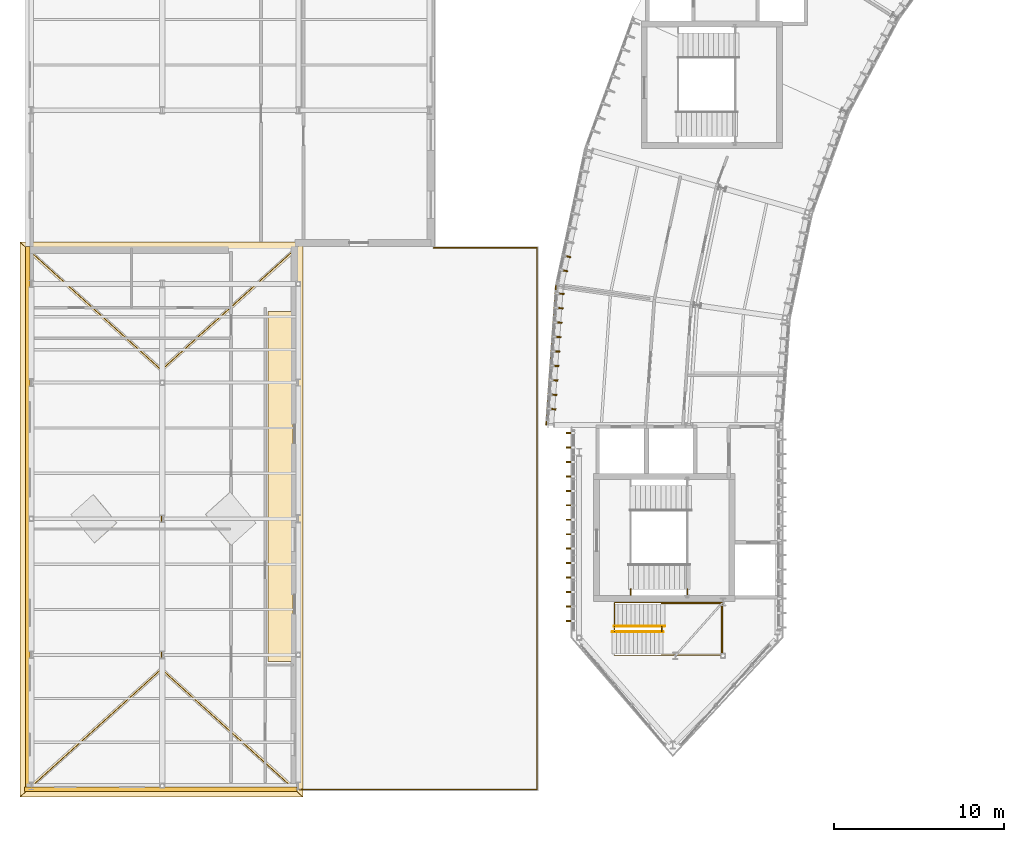
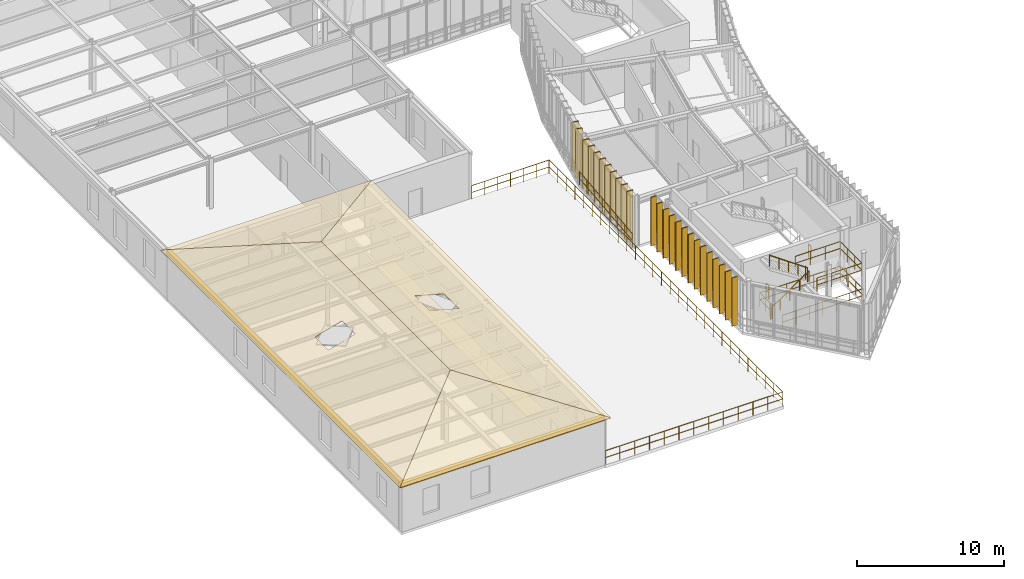
# One storey, part 46 of 52: 32 coverings, 12 railings, 2 openings.
"""IFC4 building model written with IfcOpenShell, lengths in metres."""

from ifc_helpers import new_model, si_unit, direction, frame, origin, origin_2d, place, context, subcontext, project, spatial, polyline, rectangle, circle, outline, extrude, material, layer, layer_set, type_object, element, save


model = new_model("IFC4")

# Units and contexts
model_context = context("Model", 3, precision=1e-05, world=origin(), true_north=direction((0.0, 1.0)))
body_context = subcontext(model_context, "Body", "Model", "MODEL_VIEW")
ifc_project = project(units=[si_unit("LENGTHUNIT", "METRE"), si_unit("AREAUNIT", "SQUARE_METRE"), si_unit("VOLUMEUNIT", "CUBIC_METRE"), si_unit("PLANEANGLEUNIT", "RADIAN"), si_unit("MASSUNIT", "GRAM", prefix="KILO"), si_unit("THERMODYNAMICTEMPERATUREUNIT", "KELVIN"), si_unit("POWERUNIT", "WATT")], contexts=[model_context])

# Site, building, storey
site_placement = place(None, origin())
site = spatial("IfcSite", under=ifc_project, at=site_placement, CompositionType="ELEMENT")
building_placement = place(site_placement, origin())
building = spatial("IfcBuilding", under=site, at=building_placement, Name="Solvatero Civic Police Headquarters", CompositionType="ELEMENT")
storey_placement = place(building_placement, frame((0.0, 0.0, 13.5)))
storey = spatial("IfcBuildingStorey", under=building, at=storey_placement, Name="L03", CompositionType="ELEMENT", Elevation=13.5)

# Coverings
ifc_material_1 = material(Name="Anodized Bronze Aluminium", Category="aluminium")
ifc_layer_1 = layer(ifc_material_1, 0.080078125)
ifc_layer_set_1 = layer_set([ifc_layer_1], Name="Anodized Bronze Aluminium")
covering_type_1 = type_object("IfcCoveringType", Name="COV-FIN-480", PredefinedType="CLADDING", material=ifc_layer_set_1)
for number, where, z_axis, x_axis, name in (
    (1, (36.2744140625, 35.919921875, -0.02001953125), (0.0, 0.0, 1.0), (-0.207928762682, -0.978143971841, 0.0), "Vertical Brise-Soleil Fin 0725"),
    (2, (36.09765625, 35.08837890625, -0.02001953125), (0.0, 0.0, 1.0), (-0.207928762682, -0.978143971841, 0.0), "Vertical Brise-Soleil Fin 0726"),
    (3, (35.87060546875, 33.724853515625, -0.02001953125), (0.0, 0.0, 1.0), (-0.069739062956, -0.997565267588, 0.0), "Vertical Brise-Soleil Fin 0734"),
    (4, (35.811279296875, 32.876953125, -0.02001953125), (0.0, 0.0, 1.0), (-0.069739062956, -0.997565267588, 0.0), "Vertical Brise-Soleil Fin 0735"),
    (5, (35.752197265625, 32.029052734375, -0.02001953125), (0.0, 0.0, 1.0), (-0.069739062956, -0.997565267588, 0.0), "Vertical Brise-Soleil Fin 0736"),
    (6, (35.69287109375, 31.18115234375, -0.02001953125), (0.0, 0.0, 1.0), (-0.069739062956, -0.997565267588, 0.0), "Vertical Brise-Soleil Fin 0737"),
    (7, (35.633544921875, 30.333251953125, -0.02001953125), (0.0, 0.0, 1.0), (-0.069739062956, -0.997565267588, 0.0), "Vertical Brise-Soleil Fin 0738"),
    (8, (35.57421875, 29.4853515625, -0.02001953125), (0.0, 0.0, 1.0), (-0.069739062956, -0.997565267588, 0.0), "Vertical Brise-Soleil Fin 0739"),
    (9, (35.514892578125, 28.637451171875, -0.02001953125), (0.0, 0.0, 1.0), (-0.069739062956, -0.997565267588, 0.0), "Vertical Brise-Soleil Fin 0740"),
    (10, (35.45556640625, 27.789306640625, -0.02001953125), (0.0, 0.0, 1.0), (-0.069739062956, -0.997565267588, 0.0), "Vertical Brise-Soleil Fin 0741"),
    (11, (35.396240234375, 26.94140625, -0.02001953125), (0.0, 0.0, 1.0), (-0.069739062956, -0.997565267588, 0.0), "Vertical Brise-Soleil Fin 0742"),
    (12, (36.469970703125, 25.5400390625, -0.02001953125), (0.0, 0.0, 1.0), (0.0, -1.0, 0.0), "Vertical Brise-Soleil Fin 0750"),
    (13, (36.469970703125, 24.68994140625, -0.02001953125), (0.0, 0.0, 1.0), (0.0, -1.0, 0.0), "Vertical Brise-Soleil Fin 0751"),
    (14, (36.469970703125, 23.840087890625, -0.02001953125), (0.0, 0.0, 1.0), (0.0, -1.0, 0.0), "Vertical Brise-Soleil Fin 0752"),
    (15, (36.469970703125, 22.989990234375, -0.02001953125), (0.0, 0.0, 1.0), (0.0, -1.0, 0.0), "Vertical Brise-Soleil Fin 0753"),
    (16, (36.469970703125, 22.139892578125, -0.02001953125), (0.0, 0.0, 1.0), (0.0, -1.0, 0.0), "Vertical Brise-Soleil Fin 0754"),
    (17, (36.469970703125, 21.2900390625, -0.02001953125), (0.0, 0.0, 1.0), (0.0, -1.0, 0.0), "Vertical Brise-Soleil Fin 0755"),
    (18, (36.469970703125, 20.43994140625, -0.02001953125), (0.0, 0.0, 1.0), (0.0, -1.0, 0.0), "Vertical Brise-Soleil Fin 0756"),
    (19, (36.469970703125, 19.590087890625, -0.02001953125), (0.0, 0.0, 1.0), (0.0, -1.0, 0.0), "Vertical Brise-Soleil Fin 0757"),
    (20, (36.469970703125, 18.739990234375, -0.02001953125), (0.0, 0.0, 1.0), (0.0, -1.0, 0.0), "Vertical Brise-Soleil Fin 0758"),
    (21, (36.469970703125, 17.889892578125, -0.02001953125), (0.0, 0.0, 1.0), (0.0, -1.0, 0.0), "Vertical Brise-Soleil Fin 0759"),
    (22, (36.469970703125, 17.0400390625, -0.02001953125), (0.0, 0.0, 1.0), (0.0, -1.0, 0.0), "Vertical Brise-Soleil Fin 0760"),
    (23, (36.469970703125, 16.18994140625, -0.02001953125), (0.0, 0.0, 1.0), (0.0, -1.0, 0.0), "Vertical Brise-Soleil Fin 0761"),
    (24, (36.469970703125, 15.340087890625, -0.02001953125), (0.0, 0.0, 1.0), (0.0, -1.0, 0.0), "Vertical Brise-Soleil Fin 0762"),
    (25, (36.469970703125, 14.489990234375, -0.02001953125), (0.0, 0.0, 1.0), (0.0, -1.0, 0.0), "Vertical Brise-Soleil Fin 0763"),
):
    element("IfcCovering", number, at=place(storey_placement, frame(where, z_axis=z_axis, x_axis=x_axis)), inside=storey, type_object=covering_type_1, Name=name, PredefinedType="CLADDING", context=body_context, shape_type="SweptSolid", body=[
        extrude(rectangle(XDim=0.080078125, YDim=0.47998046875, at=origin_2d()), origin(), (0.0, 0.0, 1.0), 4.0400390625),
    ])
ifc_material_2 = material(Name="Venetian Terrazzo Stone", Category="masonry")
ifc_layer_2 = layer(ifc_material_2, 0.034912109375)
ifc_layer_set_2 = layer_set([ifc_layer_2], Name="Venetian Terrazzo Stone")
covering_type_2 = type_object("IfcCoveringType", Name="COV-FLR-TER", PredefinedType="FLOORING", material=ifc_layer_set_2)
covering_1_placement = place(storey_placement, origin())
element("IfcCovering", 26, at=covering_1_placement, inside=storey, type_object=covering_type_2, Name="Flooring Officers Terrace Reading Lounge", PredefinedType="FLOORING", context=body_context, shape_type="SweptSolid", body=[
    extrude(outline(polyline([(18.719970703125, 12.1201171875), (18.719970703125, 32.679931640625), (20.179931640625, 32.679931640625), (20.179931640625, 12.1201171875), (18.719970703125, 12.1201171875)])), origin(), (0.0, 0.0, 1.0), 0.034912109375),
])

# Covering, opening
ifc_material_3 = material(Name="Lombard Terracotta Clay Tile", Category="masonry")
ifc_layer_3 = layer(ifc_material_3, 0.06005859375)
ifc_layer_set_3 = layer_set([ifc_layer_3], Name="Lombard Terracotta Clay Tile")
covering_type_3 = type_object("IfcCoveringType", Name="COV-RF-TILE", PredefinedType="ROOFING", material=ifc_layer_set_3)
covering_2_placement = place(storey_placement, frame((4.139892578125, 36.760009765625, 4.070068359375), z_axis=(-0.271028921331, 0.0, 0.962571204536), x_axis=(0.0, -1.0, 0.0)))
covering_2 = element("IfcCovering", 27, at=covering_2_placement, inside=storey, type_object=covering_type_3, Name="V4W Lombard Terracotta Hipped Roof Covering W", PredefinedType="ROOFING", context=body_context, shape_type="SweptSolid", body=[
    extrude(outline(polyline([(0.0, 0.0), (32.6201171875, 0.0), (25.10498046875, 8.633188437997418), (7.514892578125, 8.633188437997418), (0.0, 0.0)])), origin(), (0.0, 0.0, -1.0), 0.06005859375),
])
opening_1_placement = place(covering_2_placement, frame((16.260009765625, 4.529541015625, 0.0)))
element("IfcOpeningElement", 28, at=opening_1_placement, cuts=covering_2, Name="Opening SK-05 Cover", PredefinedType="OPENING", context=body_context, shape_type="SweptSolid", body=[
    extrude(rectangle(XDim=1.800048828125, YDim=2.199951171875, at=origin_2d()), frame((0.0, 0.0, -0.18017578125)), (0.0, 0.0, 1.0), 0.300048828125),
])

covering_3_placement = place(storey_placement, frame((20.760009765625, 4.139892578125, 4.070068359375), z_axis=(0.271028921331, 0.0, 0.962571204536), x_axis=(0.0, 1.0, 0.0)))
covering_3 = element("IfcCovering", 29, at=covering_3_placement, inside=storey, type_object=covering_type_3, Name="V4W Lombard Terracotta Hipped Roof Covering E", PredefinedType="ROOFING", context=body_context, shape_type="SweptSolid", body=[
    extrude(outline(polyline([(0.0, 0.0), (32.6201171875, 0.0), (25.105224609375, 8.633188437997418), (7.51513671875, 8.633188437997418), (0.0, 0.0)])), origin(), (0.0, 0.0, -1.0), 0.06005859375),
])
opening_2_placement = place(covering_3_placement, frame((16.360107421875, 4.425537109375, 0.0)))
element("IfcOpeningElement", 30, at=opening_2_placement, cuts=covering_3, Name="Opening SK-06 Cover", PredefinedType="OPENING", context=body_context, shape_type="SweptSolid", body=[
    extrude(rectangle(XDim=2.0, YDim=2.39990234375, at=origin_2d()), frame((0.0, 0.0, -0.18017578125)), (0.0, 0.0, 1.0), 0.300048828125),
])

# Coverings
covering_4_placement = place(storey_placement, frame((4.139892578125, 4.139892578125, 4.070068359375), z_axis=(0.0, -0.297275193389, 0.954791840872), x_axis=(1.0, 0.0, 0.0)))
element("IfcCovering", 31, at=covering_4_placement, inside=storey, type_object=covering_type_3, Name="V4W Lombard Terracotta Hipped Roof Covering S", PredefinedType="ROOFING", context=body_context, shape_type="SweptSolid", body=[
    extrude(outline(polyline([(0.0, 0.0), (16.6201171875, 0.0), (8.31005859375, 7.870968725380542), (0.0, 0.0)])), origin(), (0.0, 0.0, -1.0), 0.06005859375),
])
covering_5_placement = place(storey_placement, frame((20.760009765625, 36.760009765625, 4.070068359375), z_axis=(0.0, 0.297283997621, 0.954789099623), x_axis=(-1.0, 0.0, 0.0)))
element("IfcCovering", 32, at=covering_5_placement, inside=storey, type_object=covering_type_3, Name="V4W Lombard Terracotta Hipped Roof Covering N", PredefinedType="ROOFING", context=body_context, shape_type="SweptSolid", body=[
    extrude(outline(polyline([(0.0, 0.0), (16.6201171875, 0.0), (8.31005859375, 7.870735622238386), (0.0, 0.0)])), origin(), (0.0, 0.0, -1.0), 0.06005859375),
])
ifc_material_4 = material(Name="Cream Limestone Ashlar", Category="masonry")
ifc_layer_4 = layer(ifc_material_4, 0.10009765625)
ifc_layer_set_4 = layer_set([ifc_layer_4], Name="Cream Limestone Ashlar")
covering_type_4 = type_object("IfcCoveringType", Name="COV-TRIM-STONE", PredefinedType="CLADDING", material=ifc_layer_set_4)
covering_6_placement = place(storey_placement, frame((12.4150390625, 4.60009765625, 3.75), z_axis=(0.0, 0.0, 1.0), x_axis=(1.0, 0.0, 0.0)))
element("IfcCovering", 33, at=covering_6_placement, inside=storey, type_object=covering_type_4, Name="Classical Limestone Trim TRIM-V4-L03-S", PredefinedType="CLADDING", context=body_context, shape_type="SweptSolid", body=[
    extrude(rectangle(XDim=16.030029296875, YDim=0.280029296875, at=origin_2d()), origin(), (0.0, 0.0, 1.0), 0.340087890625),
])
covering_7_placement = place(storey_placement, frame((4.60009765625, 20.5, 3.75), z_axis=(0.0, 0.0, 1.0), x_axis=(1.0, 0.0, 0.0)))
element("IfcCovering", 34, at=covering_7_placement, inside=storey, type_object=covering_type_4, Name="Classical Limestone Trim TRIM-V4-L03-W", PredefinedType="CLADDING", context=body_context, shape_type="SweptSolid", body=[
    extrude(rectangle(XDim=0.280029296875, YDim=32.0, at=origin_2d()), origin(), (0.0, 0.0, 1.0), 0.340087890625),
])

# Railings
ifc_material_5 = material(Name="Anodized Bronze and Laminated Glass", Category="glass")
railing_type_1 = type_object("IfcRailingType", Name="RL-BAL-115", PredefinedType="BALUSTRADE", material=ifc_material_5)
railing_1_placement = place(storey_placement, frame((39.080078125, 12.47998046875, 0.0)))
element("IfcRailing", 35, at=railing_1_placement, inside=storey, type_object=railing_type_1, Name="Prow Stair Well Balustrade L03 SE", PredefinedType="BALUSTRADE", context=body_context, shape_type="SweptSolid", body=[
    extrude(circle(Radius=0.02392578125, at=origin_2d()), frame((0.0, 0.0, 1.1259765625), z_axis=(1.0, 0.0, 0.0), x_axis=(0.0, 1.0, 0.0)), (0.0, 0.0, 1.0), 6.33984375),
    extrude(circle(Radius=0.02392578125, at=origin_2d()), frame((0.0, 0.0, 0.55078125), z_axis=(1.0, 0.0, 0.0), x_axis=(0.0, 1.0, 0.0)), (0.0, 0.0, 1.0), 6.33984375),
    extrude(circle(Radius=0.02392578125, at=origin_2d()), frame((6.33984375, 0.0, 1.1259765625), z_axis=(0.0, 1.0, 0.0), x_axis=(-1.0, 0.0, 0.0)), (0.0, 0.0, 1.0), 3.090087890625),
    extrude(circle(Radius=0.02392578125, at=origin_2d()), frame((6.33984375, 0.0, 0.55078125), z_axis=(0.0, 1.0, 0.0), x_axis=(-1.0, 0.0, 0.0)), (0.0, 0.0, 1.0), 3.090087890625),
    extrude(circle(Radius=0.02099609375, at=origin_2d()), origin(), (0.0, 0.0, 1.0), 1.101806640625),
    extrude(circle(Radius=0.02099609375, at=origin_2d()), frame((1.056640625, 0.0, 0.0)), (0.0, 0.0, 1.0), 1.101806640625),
    extrude(circle(Radius=0.02099609375, at=origin_2d()), frame((2.11328125, 0.0, 0.0)), (0.0, 0.0, 1.0), 1.101806640625),
    extrude(circle(Radius=0.02099609375, at=origin_2d()), frame((3.169921875, 0.0, 0.0)), (0.0, 0.0, 1.0), 1.101806640625),
    extrude(circle(Radius=0.02099609375, at=origin_2d()), frame((4.2265625, 0.0, 0.0)), (0.0, 0.0, 1.0), 1.101806640625),
    extrude(circle(Radius=0.02099609375, at=origin_2d()), frame((5.283203125, 0.0, 0.0)), (0.0, 0.0, 1.0), 1.101806640625),
    extrude(circle(Radius=0.02099609375, at=origin_2d()), frame((6.33984375, 0.0, 0.0)), (0.0, 0.0, 1.0), 1.101806640625),
    extrude(circle(Radius=0.02099609375, at=origin_2d()), frame((6.33984375, 1.030029296875, 0.0)), (0.0, 0.0, 1.0), 1.101806640625),
    extrude(circle(Radius=0.02099609375, at=origin_2d()), frame((6.33984375, 2.06005859375, 0.0)), (0.0, 0.0, 1.0), 1.101806640625),
    extrude(circle(Radius=0.02099609375, at=origin_2d()), frame((6.33984375, 3.090087890625, 0.0)), (0.0, 0.0, 1.0), 1.101806640625),
])
railing_2_placement = place(storey_placement, frame((45.419921875, 15.570068359375, 0.0)))
element("IfcRailing", 36, at=railing_2_placement, inside=storey, type_object=railing_type_1, Name="Prow Stair Well Balustrade L03 NW", PredefinedType="BALUSTRADE", context=body_context, shape_type="SweptSolid", body=[
    extrude(circle(Radius=0.02392578125, at=origin_2d()), frame((0.0, 0.0, 1.1259765625), z_axis=(-1.0, 0.0, 0.0), x_axis=(0.0, -1.0, 0.0)), (0.0, 0.0, 1.0), 6.33984375),
    extrude(circle(Radius=0.02392578125, at=origin_2d()), frame((0.0, 0.0, 0.55078125), z_axis=(-1.0, 0.0, 0.0), x_axis=(0.0, -1.0, 0.0)), (0.0, 0.0, 1.0), 6.33984375),
    extrude(circle(Radius=0.02392578125, at=origin_2d()), frame((-6.33984375, 0.0, 1.1259765625), z_axis=(0.0, -1.0, 0.0), x_axis=(1.0, 0.0, 0.0)), (0.0, 0.0, 1.0), 1.41015625),
    extrude(circle(Radius=0.02392578125, at=origin_2d()), frame((-6.33984375, 0.0, 0.55078125), z_axis=(0.0, -1.0, 0.0), x_axis=(1.0, 0.0, 0.0)), (0.0, 0.0, 1.0), 1.41015625),
    extrude(circle(Radius=0.02099609375, at=origin_2d()), origin(), (0.0, 0.0, 1.0), 1.101806640625),
    extrude(circle(Radius=0.02099609375, at=origin_2d()), frame((-1.056640625, 0.0, 0.0)), (0.0, 0.0, 1.0), 1.101806640625),
    extrude(circle(Radius=0.02099609375, at=origin_2d()), frame((-2.11328125, 0.0, 0.0)), (0.0, 0.0, 1.0), 1.101806640625),
    extrude(circle(Radius=0.02099609375, at=origin_2d()), frame((-3.169921875, 0.0, 0.0)), (0.0, 0.0, 1.0), 1.101806640625),
    extrude(circle(Radius=0.02099609375, at=origin_2d()), frame((-4.2265625, 0.0, 0.0)), (0.0, 0.0, 1.0), 1.101806640625),
    extrude(circle(Radius=0.02099609375, at=origin_2d()), frame((-5.283203125, 0.0, 0.0)), (0.0, 0.0, 1.0), 1.101806640625),
    extrude(circle(Radius=0.02099609375, at=origin_2d()), frame((-6.33984375, 0.0, 0.0)), (0.0, 0.0, 1.0), 1.101806640625),
    extrude(circle(Radius=0.02099609375, at=origin_2d()), frame((-6.33984375, -0.705078125, 0.0)), (0.0, 0.0, 1.0), 1.101806640625),
    extrude(circle(Radius=0.02099609375, at=origin_2d()), frame((-6.33984375, -1.41015625, 0.0)), (0.0, 0.0, 1.0), 1.101806640625),
])
railing_3_placement = place(storey_placement, frame((39.080078125, 13.8798828125, 0.0)))
element("IfcRailing", 37, at=railing_3_placement, inside=storey, type_object=railing_type_1, Name="Prow Stair Well West Slot L03", PredefinedType="BALUSTRADE", context=body_context, shape_type="SweptSolid", body=[
    extrude(circle(Radius=0.02392578125, at=origin_2d()), frame((0.0, 0.0, 1.1259765625), z_axis=(0.0, 1.0, 0.0), x_axis=(-1.0, 0.0, 0.0)), (0.0, 0.0, 1.0), 0.280029296875),
    extrude(circle(Radius=0.02392578125, at=origin_2d()), frame((0.0, 0.0, 0.55078125), z_axis=(0.0, 1.0, 0.0), x_axis=(-1.0, 0.0, 0.0)), (0.0, 0.0, 1.0), 0.280029296875),
    extrude(circle(Radius=0.02099609375, at=origin_2d()), origin(), (0.0, 0.0, 1.0), 1.101806640625),
    extrude(circle(Radius=0.02099609375, at=origin_2d()), frame((0.0, 0.280029296875, 0.0)), (0.0, 0.0, 1.0), 1.101806640625),
])
railing_4_placement = place(storey_placement, frame((41.820068359375, 12.5400390625, 2.10009765625)))
element("IfcRailing", 38, at=railing_4_placement, inside=storey, type_object=railing_type_1, Name="ST-PRW L03 Half-Landing Balustrade", PredefinedType="BALUSTRADE", context=body_context, shape_type="SweptSolid", body=[
    extrude(circle(Radius=0.02392578125, at=origin_2d()), frame((0.0, 0.0, 1.1259765625), z_axis=(1.0, 0.0, 0.0), x_axis=(0.0, 1.0, 0.0)), (0.0, 0.0, 1.0), 3.5400390625),
    extrude(circle(Radius=0.02392578125, at=origin_2d()), frame((0.0, 0.0, 0.55078125), z_axis=(1.0, 0.0, 0.0), x_axis=(0.0, 1.0, 0.0)), (0.0, 0.0, 1.0), 3.5400390625),
    extrude(circle(Radius=0.02392578125, at=origin_2d()), frame((3.5400390625, 0.0, 1.1259765625), z_axis=(0.0, 1.0, 0.0), x_axis=(-1.0, 0.0, 0.0)), (0.0, 0.0, 1.0), 2.969970703125),
    extrude(circle(Radius=0.02392578125, at=origin_2d()), frame((3.5400390625, 0.0, 0.55078125), z_axis=(0.0, 1.0, 0.0), x_axis=(-1.0, 0.0, 0.0)), (0.0, 0.0, 1.0), 2.969970703125),
    extrude(circle(Radius=0.02392578125, at=origin_2d()), frame((3.5400390625, 2.969970703125, 1.1259765625), z_axis=(-1.0, 0.0, 0.0), x_axis=(0.0, -1.0, 0.0)), (0.0, 0.0, 1.0), 3.5400390625),
    extrude(circle(Radius=0.02392578125, at=origin_2d()), frame((3.5400390625, 2.969970703125, 0.55078125), z_axis=(-1.0, 0.0, 0.0), x_axis=(0.0, -1.0, 0.0)), (0.0, 0.0, 1.0), 3.5400390625),
    extrude(circle(Radius=0.02099609375, at=origin_2d()), origin(), (0.0, 0.0, 1.0), 1.101806640625),
    extrude(circle(Radius=0.02099609375, at=origin_2d()), frame((1.179931640625, 0.0, 0.0)), (0.0, 0.0, 1.0), 1.101806640625),
    extrude(circle(Radius=0.02099609375, at=origin_2d()), frame((2.360107421875, 0.0, 0.0)), (0.0, 0.0, 1.0), 1.101806640625),
    extrude(circle(Radius=0.02099609375, at=origin_2d()), frame((3.5400390625, 0.0, 0.0)), (0.0, 0.0, 1.0), 1.101806640625),
    extrude(circle(Radius=0.02099609375, at=origin_2d()), frame((3.5400390625, 0.989990234375, 0.0)), (0.0, 0.0, 1.0), 1.101806640625),
    extrude(circle(Radius=0.02099609375, at=origin_2d()), frame((3.5400390625, 1.97998046875, 0.0)), (0.0, 0.0, 1.0), 1.101806640625),
    extrude(circle(Radius=0.02099609375, at=origin_2d()), frame((3.5400390625, 2.969970703125, 0.0)), (0.0, 0.0, 1.0), 1.101806640625),
    extrude(circle(Radius=0.02099609375, at=origin_2d()), frame((2.360107421875, 2.969970703125, 0.0)), (0.0, 0.0, 1.0), 1.101806640625),
    extrude(circle(Radius=0.02099609375, at=origin_2d()), frame((1.179931640625, 2.969970703125, 0.0)), (0.0, 0.0, 1.0), 1.101806640625),
    extrude(circle(Radius=0.02099609375, at=origin_2d()), frame((0.0, 2.969970703125, 0.0)), (0.0, 0.0, 1.0), 1.101806640625),
])
railing_5_placement = place(storey_placement, frame((20.550048828125, 4.580078125, 0.0)))
element("IfcRailing", 39, at=railing_5_placement, inside=storey, type_object=railing_type_1, Name="L03 Licensing Roof Terrace Balustrade SE", PredefinedType="BALUSTRADE", context=body_context, shape_type="SweptSolid", body=[
    extrude(circle(Radius=0.02392578125, at=origin_2d()), frame((0.0, 0.0, 1.1259765625), z_axis=(1.0, 0.0, 0.0), x_axis=(0.0, 1.0, 0.0)), (0.0, 0.0, 1.0), 13.969970703125),
    extrude(circle(Radius=0.02392578125, at=origin_2d()), frame((0.0, 0.0, 0.55078125), z_axis=(1.0, 0.0, 0.0), x_axis=(0.0, 1.0, 0.0)), (0.0, 0.0, 1.0), 13.969970703125),
    extrude(circle(Radius=0.02392578125, at=origin_2d()), frame((13.969970703125, 0.0, 1.1259765625), z_axis=(0.0, 1.0, 0.0), x_axis=(-1.0, 0.0, 0.0)), (0.0, 0.0, 1.0), 31.83984375),
    extrude(circle(Radius=0.02392578125, at=origin_2d()), frame((13.969970703125, 0.0, 0.55078125), z_axis=(0.0, 1.0, 0.0), x_axis=(-1.0, 0.0, 0.0)), (0.0, 0.0, 1.0), 31.83984375),
    extrude(circle(Radius=0.02099609375, at=origin_2d()), origin(), (0.0, 0.0, 1.0), 1.101806640625),
    extrude(circle(Radius=0.02099609375, at=origin_2d()), frame((1.1640625, 0.0, 0.0)), (0.0, 0.0, 1.0), 1.101806640625),
    extrude(circle(Radius=0.02099609375, at=origin_2d()), frame((2.328369140625, 0.0, 0.0)), (0.0, 0.0, 1.0), 1.101806640625),
    extrude(circle(Radius=0.02099609375, at=origin_2d()), frame((3.492431640625, 0.0, 0.0)), (0.0, 0.0, 1.0), 1.101806640625),
    extrude(circle(Radius=0.02099609375, at=origin_2d()), frame((4.65673828125, 0.0, 0.0)), (0.0, 0.0, 1.0), 1.101806640625),
    extrude(circle(Radius=0.02099609375, at=origin_2d()), frame((5.82080078125, 0.0, 0.0)), (0.0, 0.0, 1.0), 1.101806640625),
    extrude(circle(Radius=0.02099609375, at=origin_2d()), frame((6.98486328125, 0.0, 0.0)), (0.0, 0.0, 1.0), 1.101806640625),
    extrude(circle(Radius=0.02099609375, at=origin_2d()), frame((8.149169921875, 0.0, 0.0)), (0.0, 0.0, 1.0), 1.101806640625),
    extrude(circle(Radius=0.02099609375, at=origin_2d()), frame((9.313232421875, 0.0, 0.0)), (0.0, 0.0, 1.0), 1.101806640625),
    extrude(circle(Radius=0.02099609375, at=origin_2d()), frame((10.4775390625, 0.0, 0.0)), (0.0, 0.0, 1.0), 1.101806640625),
    extrude(circle(Radius=0.02099609375, at=origin_2d()), frame((11.6416015625, 0.0, 0.0)), (0.0, 0.0, 1.0), 1.101806640625),
    extrude(circle(Radius=0.02099609375, at=origin_2d()), frame((12.805908203125, 0.0, 0.0)), (0.0, 0.0, 1.0), 1.101806640625),
    extrude(circle(Radius=0.02099609375, at=origin_2d()), frame((13.969970703125, 0.0, 0.0)), (0.0, 0.0, 1.0), 1.101806640625),
    extrude(circle(Radius=0.02099609375, at=origin_2d()), frame((13.969970703125, 1.17919921875, 0.0)), (0.0, 0.0, 1.0), 1.101806640625),
    extrude(circle(Radius=0.02099609375, at=origin_2d()), frame((13.969970703125, 2.3583984375, 0.0)), (0.0, 0.0, 1.0), 1.101806640625),
    extrude(circle(Radius=0.02099609375, at=origin_2d()), frame((13.969970703125, 3.537841796875, 0.0)), (0.0, 0.0, 1.0), 1.101806640625),
    extrude(circle(Radius=0.02099609375, at=origin_2d()), frame((13.969970703125, 4.717041015625, 0.0)), (0.0, 0.0, 1.0), 1.101806640625),
    extrude(circle(Radius=0.02099609375, at=origin_2d()), frame((13.969970703125, 5.896240234375, 0.0)), (0.0, 0.0, 1.0), 1.101806640625),
    extrude(circle(Radius=0.02099609375, at=origin_2d()), frame((13.969970703125, 7.075439453125, 0.0)), (0.0, 0.0, 1.0), 1.101806640625),
    extrude(circle(Radius=0.02099609375, at=origin_2d()), frame((13.969970703125, 8.2548828125, 0.0)), (0.0, 0.0, 1.0), 1.101806640625),
    extrude(circle(Radius=0.02099609375, at=origin_2d()), frame((13.969970703125, 9.43408203125, 0.0)), (0.0, 0.0, 1.0), 1.101806640625),
    extrude(circle(Radius=0.02099609375, at=origin_2d()), frame((13.969970703125, 10.61328125, 0.0)), (0.0, 0.0, 1.0), 1.101806640625),
    extrude(circle(Radius=0.02099609375, at=origin_2d()), frame((13.969970703125, 11.79248046875, 0.0)), (0.0, 0.0, 1.0), 1.101806640625),
    extrude(circle(Radius=0.02099609375, at=origin_2d()), frame((13.969970703125, 12.9716796875, 0.0)), (0.0, 0.0, 1.0), 1.101806640625),
    extrude(circle(Radius=0.02099609375, at=origin_2d()), frame((13.969970703125, 14.151123046875, 0.0)), (0.0, 0.0, 1.0), 1.101806640625),
    extrude(circle(Radius=0.02099609375, at=origin_2d()), frame((13.969970703125, 15.330322265625, 0.0)), (0.0, 0.0, 1.0), 1.101806640625),
    extrude(circle(Radius=0.02099609375, at=origin_2d()), frame((13.969970703125, 16.509521484375, 0.0)), (0.0, 0.0, 1.0), 1.101806640625),
    extrude(circle(Radius=0.02099609375, at=origin_2d()), frame((13.969970703125, 17.688720703125, 0.0)), (0.0, 0.0, 1.0), 1.101806640625),
    extrude(circle(Radius=0.02099609375, at=origin_2d()), frame((13.969970703125, 18.8681640625, 0.0)), (0.0, 0.0, 1.0), 1.101806640625),
    extrude(circle(Radius=0.02099609375, at=origin_2d()), frame((13.969970703125, 20.04736328125, 0.0)), (0.0, 0.0, 1.0), 1.101806640625),
    extrude(circle(Radius=0.02099609375, at=origin_2d()), frame((13.969970703125, 21.2265625, 0.0)), (0.0, 0.0, 1.0), 1.101806640625),
    extrude(circle(Radius=0.02099609375, at=origin_2d()), frame((13.969970703125, 22.40576171875, 0.0)), (0.0, 0.0, 1.0), 1.101806640625),
    extrude(circle(Radius=0.02099609375, at=origin_2d()), frame((13.969970703125, 23.5849609375, 0.0)), (0.0, 0.0, 1.0), 1.101806640625),
    extrude(circle(Radius=0.02099609375, at=origin_2d()), frame((13.969970703125, 24.764404296875, 0.0)), (0.0, 0.0, 1.0), 1.101806640625),
    extrude(circle(Radius=0.02099609375, at=origin_2d()), frame((13.969970703125, 25.943603515625, 0.0)), (0.0, 0.0, 1.0), 1.101806640625),
    extrude(circle(Radius=0.02099609375, at=origin_2d()), frame((13.969970703125, 27.122802734375, 0.0)), (0.0, 0.0, 1.0), 1.101806640625),
    extrude(circle(Radius=0.02099609375, at=origin_2d()), frame((13.969970703125, 28.302001953125, 0.0)), (0.0, 0.0, 1.0), 1.101806640625),
    extrude(circle(Radius=0.02099609375, at=origin_2d()), frame((13.969970703125, 29.4814453125, 0.0)), (0.0, 0.0, 1.0), 1.101806640625),
    extrude(circle(Radius=0.02099609375, at=origin_2d()), frame((13.969970703125, 30.66064453125, 0.0)), (0.0, 0.0, 1.0), 1.101806640625),
    extrude(circle(Radius=0.02099609375, at=origin_2d()), frame((13.969970703125, 31.83984375, 0.0)), (0.0, 0.0, 1.0), 1.101806640625),
])
railing_6_placement = place(storey_placement, frame((34.52001953125, 36.419921875, 0.0)))
element("IfcRailing", 40, at=railing_6_placement, inside=storey, type_object=railing_type_1, Name="L03 Licensing Roof Terrace Balustrade N", PredefinedType="BALUSTRADE", context=body_context, shape_type="SweptSolid", body=[
    extrude(circle(Radius=0.02392578125, at=origin_2d()), frame((0.0, 0.0, 1.1259765625), z_axis=(-1.0, 0.0, 0.0), x_axis=(0.0, -1.0, 0.0)), (0.0, 0.0, 1.0), 6.070068359375),
    extrude(circle(Radius=0.02392578125, at=origin_2d()), frame((0.0, 0.0, 0.55078125), z_axis=(-1.0, 0.0, 0.0), x_axis=(0.0, -1.0, 0.0)), (0.0, 0.0, 1.0), 6.070068359375),
    extrude(circle(Radius=0.02099609375, at=origin_2d()), origin(), (0.0, 0.0, 1.0), 1.101806640625),
    extrude(circle(Radius=0.02099609375, at=origin_2d()), frame((-1.01171875, 0.0, 0.0)), (0.0, 0.0, 1.0), 1.101806640625),
    extrude(circle(Radius=0.02099609375, at=origin_2d()), frame((-2.0234375, 0.0, 0.0)), (0.0, 0.0, 1.0), 1.101806640625),
    extrude(circle(Radius=0.02099609375, at=origin_2d()), frame((-3.03515625, 0.0, 0.0)), (0.0, 0.0, 1.0), 1.101806640625),
    extrude(circle(Radius=0.02099609375, at=origin_2d()), frame((-4.046630859375, 0.0, 0.0)), (0.0, 0.0, 1.0), 1.101806640625),
    extrude(circle(Radius=0.02099609375, at=origin_2d()), frame((-5.058349609375, 0.0, 0.0)), (0.0, 0.0, 1.0), 1.101806640625),
    extrude(circle(Radius=0.02099609375, at=origin_2d()), frame((-6.070068359375, 0.0, 0.0)), (0.0, 0.0, 1.0), 1.101806640625),
])
railing_7_placement = place(storey_placement, frame((35.633544921875, 34.202880859375, 0.0)))
element("IfcRailing", 41, at=railing_7_placement, inside=storey, type_object=railing_type_1, Name="Glazed Facade Sill Balustrade RL-L03-ARCOUT-B12", PredefinedType="BALUSTRADE", context=body_context, shape_type="SweptSolid", body=[
    extrude(circle(Radius=0.02392578125, at=origin_2d()), frame((0.0, 0.0, 1.1259765625), z_axis=(-0.069742558988, -0.997565023177, 0.0), x_axis=(0.997565023177, -0.069742558988, 0.0)), (0.0, 0.0, 1.0), 8.222900390625),
    extrude(circle(Radius=0.02392578125, at=origin_2d()), frame((0.0, 0.0, 0.55078125), z_axis=(-0.069742558988, -0.997565023177, 0.0), x_axis=(0.997565023177, -0.069742558988, 0.0)), (0.0, 0.0, 1.0), 8.222900390625),
    extrude(circle(Radius=0.02099609375, at=origin_2d()), origin(), (0.0, 0.0, 1.0), 1.101806640625),
    extrude(circle(Radius=0.02099609375, at=origin_2d()), frame((-0.08203125, -1.171875, 0.0)), (0.0, 0.0, 1.0), 1.101806640625),
    extrude(circle(Radius=0.02099609375, at=origin_2d()), frame((-0.163818359375, -2.34375, 0.0)), (0.0, 0.0, 1.0), 1.101806640625),
    extrude(circle(Radius=0.02099609375, at=origin_2d()), frame((-0.245849609375, -3.515625, 0.0)), (0.0, 0.0, 1.0), 1.101806640625),
    extrude(circle(Radius=0.02099609375, at=origin_2d()), frame((-0.32763671875, -4.687255859375, 0.0)), (0.0, 0.0, 1.0), 1.101806640625),
    extrude(circle(Radius=0.02099609375, at=origin_2d()), frame((-0.40966796875, -5.859130859375, 0.0)), (0.0, 0.0, 1.0), 1.101806640625),
    extrude(circle(Radius=0.02099609375, at=origin_2d()), frame((-0.491455078125, -7.031005859375, 0.0)), (0.0, 0.0, 1.0), 1.101806640625),
    extrude(circle(Radius=0.02099609375, at=origin_2d()), frame((-0.573486328125, -8.202880859375, 0.0)), (0.0, 0.0, 1.0), 1.101806640625),
])
ifc_material_6 = material(Name="Painted Galvanized Steel", Category="steel")
railing_type_2 = type_object("IfcRailingType", Name="RL-GRD-110", PredefinedType="GUARDRAIL", material=ifc_material_6)
for number, where, name in (
    (42, (40.030029296875, 16.010009765625, 0.0), "ST-C1 L03 Floor Well South Slot Guardrail"),
    (43, (43.3701171875, 16.010009765625, 2.10009765625), "ST-C1 L03 Half-Landing South Slot Guardrail"),
):
    element("IfcRailing", number, at=place(storey_placement, frame(where)), inside=storey, type_object=railing_type_2, Name=name, PredefinedType="GUARDRAIL", context=body_context, shape_type="SweptSolid", body=[
        extrude(circle(Radius=0.02392578125, at=origin_2d()), frame((0.0, 0.0, 1.09619140625), z_axis=(0.0, 1.0, 0.0), x_axis=(-1.0, 0.0, 0.0)), (0.0, 0.0, 1.0), 0.360107421875),
        extrude(circle(Radius=0.02392578125, at=origin_2d()), frame((0.0, 0.0, 0.5361328125), z_axis=(0.0, 1.0, 0.0), x_axis=(-1.0, 0.0, 0.0)), (0.0, 0.0, 1.0), 0.360107421875),
        extrude(circle(Radius=0.02099609375, at=origin_2d()), origin(), (0.0, 0.0, 1.0), 1.072021484375),
        extrude(circle(Radius=0.02099609375, at=origin_2d()), frame((0.0, 0.360107421875, 0.0)), (0.0, 0.0, 1.0), 1.072021484375),
    ])
railing_8_placement = place(storey_placement, frame((41.85009765625, 13.8798828125, 2.10009765625)))
element("IfcRailing", 44, at=railing_8_placement, inside=storey, type_object=railing_type_2, Name="ST-PRW L03 Half-Landing Slot Guardrail", PredefinedType="GUARDRAIL", context=body_context, shape_type="SweptSolid", body=[
    extrude(circle(Radius=0.02392578125, at=origin_2d()), frame((0.0, 0.0, 1.09619140625), z_axis=(0.0, 1.0, 0.0), x_axis=(-1.0, 0.0, 0.0)), (0.0, 0.0, 1.0), 0.280029296875),
    extrude(circle(Radius=0.02392578125, at=origin_2d()), frame((0.0, 0.0, 0.5361328125), z_axis=(0.0, 1.0, 0.0), x_axis=(-1.0, 0.0, 0.0)), (0.0, 0.0, 1.0), 0.280029296875),
    extrude(circle(Radius=0.02099609375, at=origin_2d()), origin(), (0.0, 0.0, 1.0), 1.072021484375),
    extrude(circle(Radius=0.02099609375, at=origin_2d()), frame((0.0, 0.280029296875, 0.0)), (0.0, 0.0, 1.0), 1.072021484375),
])
ifc_material_7 = material(Name="Brushed Stainless Steel", Category="steel")
railing_type_3 = type_object("IfcRailingType", Name="RL-HND-092", PredefinedType="HANDRAIL", material=ifc_material_7)
railing_9_placement = place(storey_placement, frame((38.93994140625, 13.85009765625, 0.0)))
element("IfcRailing", 45, at=railing_9_placement, inside=storey, type_object=railing_type_3, Name="ST-PRW L03 Flight 1 Handrail", PredefinedType="HANDRAIL", context=body_context, shape_type="SweptSolid", body=[
    extrude(circle(Radius=0.02392578125, at=origin_2d()), frame((0.0, 0.0, 0.89599609375), z_axis=(0.819219392063, 0.0, 0.573480241742), x_axis=(0.0, 1.0, 0.0)), (0.0, 0.0, 1.0), 3.662109375),
    extrude(circle(Radius=0.02099609375, at=origin_2d()), origin(), (0.0, 0.0, 1.0), 0.871826171875),
    extrude(circle(Radius=0.02099609375, at=origin_2d()), frame((0.75, 0.0, 0.52490234375)), (0.0, 0.0, 1.0), 0.871826171875),
    extrude(circle(Radius=0.02099609375, at=origin_2d()), frame((1.5, 0.0, 1.050048828125)), (0.0, 0.0, 1.0), 0.871826171875),
    extrude(circle(Radius=0.02099609375, at=origin_2d()), frame((2.25, 0.0, 1.5751953125)), (0.0, 0.0, 1.0), 0.871826171875),
    extrude(circle(Radius=0.02099609375, at=origin_2d()), frame((3.0, 0.0, 2.10009765625)), (0.0, 0.0, 1.0), 0.871826171875),
])
railing_10_placement = place(storey_placement, frame((42.0400390625, 14.18994140625, 2.10009765625)))
element("IfcRailing", 46, at=railing_10_placement, inside=storey, type_object=railing_type_3, Name="ST-PRW L03 Flight 2 Handrail", PredefinedType="HANDRAIL", context=body_context, shape_type="SweptSolid", body=[
    extrude(circle(Radius=0.02392578125, at=origin_2d()), frame((0.0, 0.0, 0.89599609375), z_axis=(-0.819250713189, 0.0, 0.573435496756), x_axis=(0.0, -1.0, 0.0)), (0.0, 0.0, 1.0), 3.661865234375),
    extrude(circle(Radius=0.02099609375, at=origin_2d()), origin(), (0.0, 0.0, 1.0), 0.871826171875),
    extrude(circle(Radius=0.02099609375, at=origin_2d()), frame((-0.75, 0.0, 0.52490234375)), (0.0, 0.0, 1.0), 0.871826171875),
    extrude(circle(Radius=0.02099609375, at=origin_2d()), frame((-1.5, 0.0, 1.0498046875)), (0.0, 0.0, 1.0), 0.871826171875),
    extrude(circle(Radius=0.02099609375, at=origin_2d()), frame((-2.25, 0.0, 1.574951171875)), (0.0, 0.0, 1.0), 0.871826171875),
    extrude(circle(Radius=0.02099609375, at=origin_2d()), frame((-3.0, 0.0, 2.099853515625)), (0.0, 0.0, 1.0), 0.871826171875),
])

save(model, "model.ifc")
